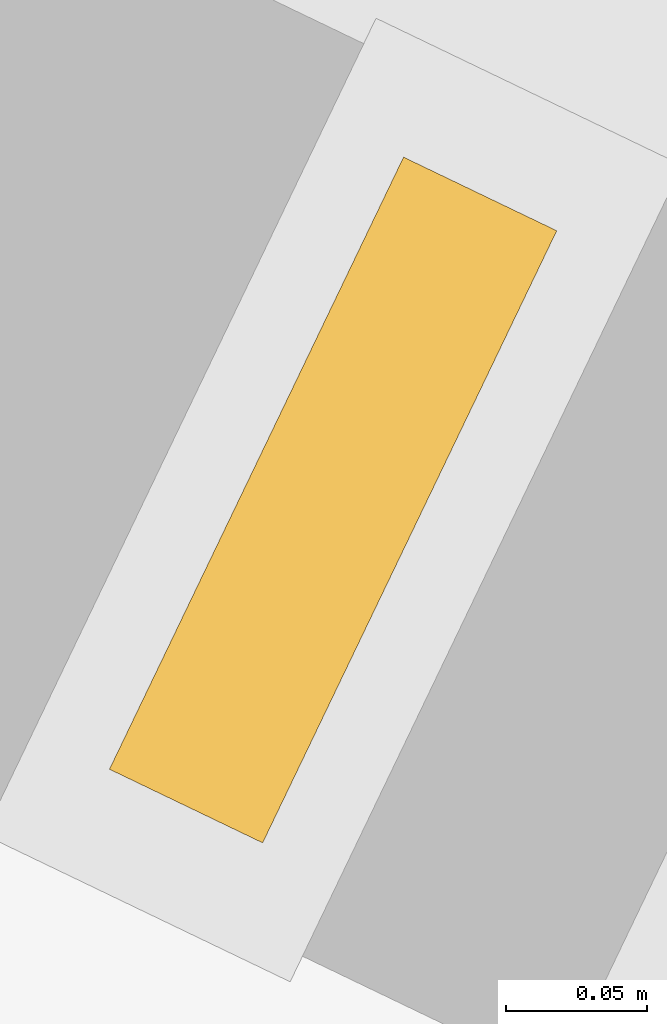
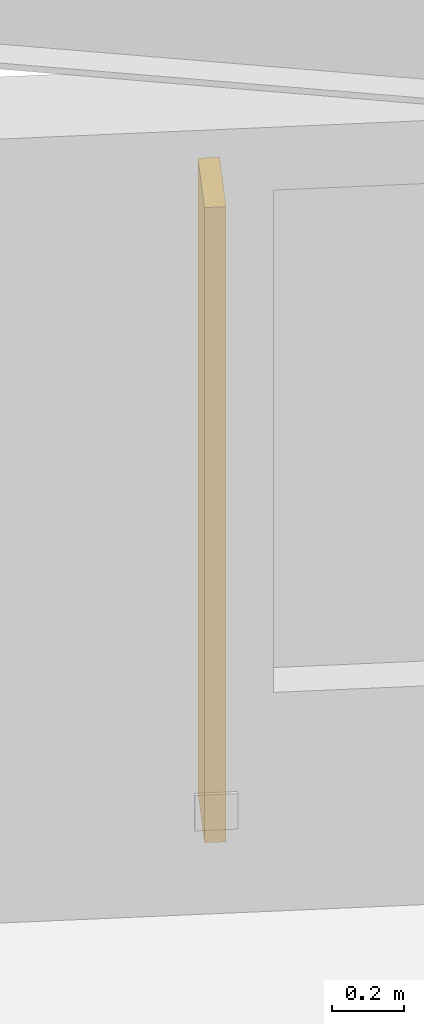
# One storey, part 17 of 17: 1 shading device.
"""IFC4 building model written with IfcOpenShell, lengths in metres."""

from ifc_helpers import new_model, si_unit, direction, frame, origin, origin_2d, place, context, subcontext, project, spatial, rectangle, extrude, material, type_object, element, save


model = new_model("IFC4")

# Units and contexts
model_context = context("Model", 3, precision=1e-05, world=origin(), true_north=direction((0.0, 1.0)))
body_context = subcontext(model_context, "Body", "Model", "MODEL_VIEW")
ifc_project = project(units=[si_unit("LENGTHUNIT", "METRE"), si_unit("AREAUNIT", "SQUARE_METRE"), si_unit("VOLUMEUNIT", "CUBIC_METRE"), si_unit("PLANEANGLEUNIT", "RADIAN"), si_unit("MASSUNIT", "GRAM", prefix="KILO")], contexts=[model_context])

# Site, building, storey
site_placement = place(None, origin())
site = spatial("IfcSite", under=ifc_project, at=site_placement, CompositionType="ELEMENT")
building_placement = place(site_placement, origin())
building = spatial("IfcBuilding", under=site, at=building_placement, Name="Kolvaren Gate Tower and Convention Centre", CompositionType="ELEMENT")
storey_placement = place(building_placement, frame((0.0, 0.0, 125.699951171875)))
storey = spatial("IfcBuildingStorey", under=building, at=storey_placement, Name="L31", CompositionType="ELEMENT", Elevation=125.699951171875)

# Shading device
ifc_material = material(Name="Kiln-Fired Bogota Terracotta Ceramic Louvre Profile", Category="masonry")
shading_device_type = type_object("IfcShadingDeviceType", Name="ARCH-SHD-FIN-180", PredefinedType="JALOUSIE", material=ifc_material)
shading_device_placement = place(storey_placement, frame((47.329833984375, 38.472900390625, 0.22021484375), z_axis=(0.0, 0.0, 1.0), x_axis=(0.901362925045, -0.433064518696, 0.0)))
element("IfcShadingDevice", 1, at=shading_device_placement, inside=storey, type_object=shading_device_type, Name="Ceramic Vertical Brise-Soleil Fin FN-L31-02", PredefinedType="JALOUSIE", context=body_context, shape_type="SweptSolid", body=[
    extrude(rectangle(XDim=0.06005859375, YDim=0.239990234375, at=origin_2d()), origin(), (0.0, 0.0, 1.0), 2.14990234375),
])

save(model, "model.ifc")
